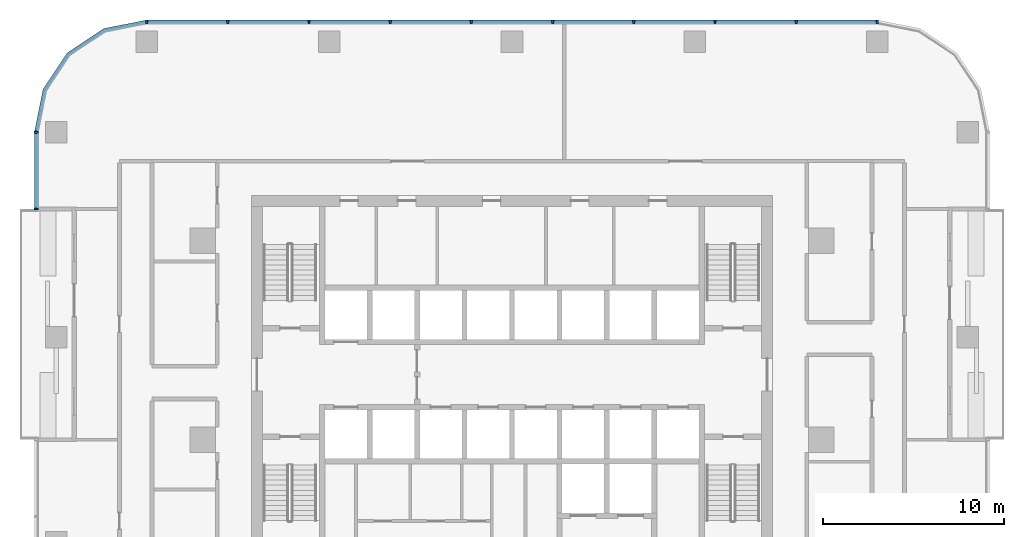
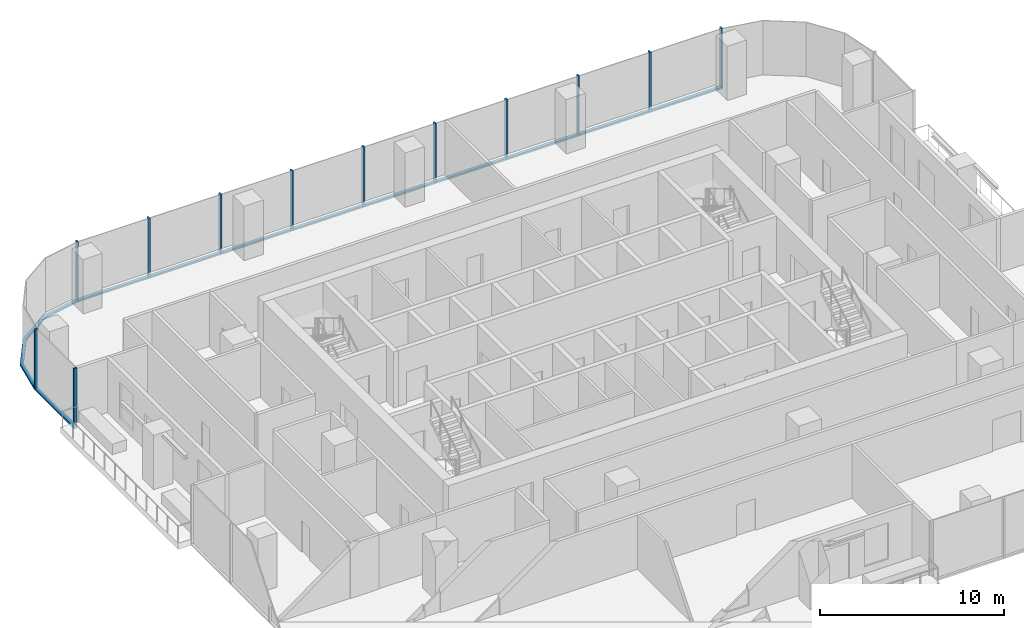
# One storey, part 4 of 14: 23 members, 3 elements without a shape of their own.
"""IFC4 building model written with IfcOpenShell, lengths in metres."""

from ifc_helpers import new_model, si_unit, direction, frame, origin, origin_2d, place, context, subcontext, project, spatial, polyline, rectangle, outline, extrude, material, material_profile, profile_set, type_object, element, aggregate, save


model = new_model("IFC4")

# Units and contexts
model_context = context("Model", 3, precision=1e-05, world=origin(), true_north=direction((0.0, 1.0)))
body_context = subcontext(model_context, "Body", "Model", "MODEL_VIEW")
ifc_project = project(units=[si_unit("LENGTHUNIT", "METRE"), si_unit("AREAUNIT", "SQUARE_METRE"), si_unit("VOLUMEUNIT", "CUBIC_METRE"), si_unit("PLANEANGLEUNIT", "RADIAN"), si_unit("MASSUNIT", "GRAM", prefix="KILO")], contexts=[model_context])

# Site, building, storey
site_placement = place(None, origin())
site = spatial("IfcSite", under=ifc_project, at=site_placement, CompositionType="ELEMENT")
building_placement = place(site_placement, origin())
building = spatial("IfcBuilding", under=site, at=building_placement, Name="Mopane Tessera Tower", CompositionType="ELEMENT")
storey_placement = place(building_placement, frame((0.0, 0.0, 165.0)))
storey = spatial("IfcBuildingStorey", under=building, at=storey_placement, Name="L33", CompositionType="ELEMENT", Elevation=165.0)

# Curtain wall, members
ifc_material_1 = material(Name="Aluminium frame", Category="aluminium")
curtain_wall_type = type_object("IfcCurtainWallType", Name="Unitised curtain wall", PredefinedType="NOTDEFINED", material=ifc_material_1)
curtain_wall_1_placement = place(storey_placement, origin())
curtain_wall_1 = element("IfcCurtainWall", 1, at=curtain_wall_1_placement, inside=storey, type_object=curtain_wall_type, Name="e:cw:L33:N:0", PredefinedType="NOTDEFINED")
ifc_material_2 = material(Name="Aluminium frame", Category="aluminium")
ifc_material_profile_1 = material_profile(ifc_material_2, rectangle(XDim=0.10009765625, YDim=0.199951171875, at=origin_2d()))
ifc_profile_set_1 = profile_set([ifc_material_profile_1], Name="Aluminium frame")
member_type_1 = type_object("IfcMemberType", Name="Aluminium mullion 100 x 200", PredefinedType="MULLION", material=ifc_profile_set_1)
member_1_placement = place(storey_placement, frame((20.199951171875, 23.10009765625, -0.39990234375), z_axis=(0.0, 0.0, 1.0), x_axis=(-1.0, 0.0, 0.0)))
member_1 = element("IfcMember", 2, at=member_1_placement, type_object=member_type_1, Name="e:cw:L33:N:0:mu0", PredefinedType="MULLION", context=body_context, shape_type="SweptSolid", body=[
    extrude(rectangle(XDim=0.10009765625, YDim=0.199951171875, at=origin_2d()), origin(), (0.0, 0.0, 1.0), 4.0),
])
member_2_placement = place(storey_placement, frame((15.711181640625, 23.10009765625, -0.39990234375), z_axis=(0.0, 0.0, 1.0), x_axis=(-1.0, 0.0, 0.0)))
member_2 = element("IfcMember", 3, at=member_2_placement, type_object=member_type_1, Name="e:cw:L33:N:0:mu1", PredefinedType="MULLION", context=body_context, shape_type="SweptSolid", body=[
    extrude(rectangle(XDim=0.10009765625, YDim=0.199951171875, at=origin_2d()), origin(), (0.0, 0.0, 1.0), 4.0),
])
member_3_placement = place(storey_placement, frame((11.22216796875, 23.10009765625, -0.39990234375), z_axis=(0.0, 0.0, 1.0), x_axis=(-1.0, 0.0, 0.0)))
member_3 = element("IfcMember", 4, at=member_3_placement, type_object=member_type_1, Name="e:cw:L33:N:0:mu2", PredefinedType="MULLION", context=body_context, shape_type="SweptSolid", body=[
    extrude(rectangle(XDim=0.10009765625, YDim=0.199951171875, at=origin_2d()), origin(), (0.0, 0.0, 1.0), 4.0),
])
member_4_placement = place(storey_placement, frame((6.7333984375, 23.10009765625, -0.39990234375), z_axis=(0.0, 0.0, 1.0), x_axis=(-1.0, 0.0, 0.0)))
member_4 = element("IfcMember", 5, at=member_4_placement, type_object=member_type_1, Name="e:cw:L33:N:0:mu3", PredefinedType="MULLION", context=body_context, shape_type="SweptSolid", body=[
    extrude(rectangle(XDim=0.10009765625, YDim=0.199951171875, at=origin_2d()), origin(), (0.0, 0.0, 1.0), 4.0),
])
member_5_placement = place(storey_placement, frame((2.244384765625, 23.10009765625, -0.39990234375), z_axis=(0.0, 0.0, 1.0), x_axis=(-1.0, 0.0, 0.0)))
member_5 = element("IfcMember", 6, at=member_5_placement, type_object=member_type_1, Name="e:cw:L33:N:0:mu4", PredefinedType="MULLION", context=body_context, shape_type="SweptSolid", body=[
    extrude(rectangle(XDim=0.10009765625, YDim=0.199951171875, at=origin_2d()), origin(), (0.0, 0.0, 1.0), 4.0),
])
member_6_placement = place(storey_placement, frame((-2.244384765625, 23.10009765625, -0.39990234375), z_axis=(0.0, 0.0, 1.0), x_axis=(-1.0, 0.0, 0.0)))
member_6 = element("IfcMember", 7, at=member_6_placement, type_object=member_type_1, Name="e:cw:L33:N:0:mu5", PredefinedType="MULLION", context=body_context, shape_type="SweptSolid", body=[
    extrude(rectangle(XDim=0.10009765625, YDim=0.199951171875, at=origin_2d()), origin(), (0.0, 0.0, 1.0), 4.0),
])
member_7_placement = place(storey_placement, frame((-6.7333984375, 23.10009765625, -0.39990234375), z_axis=(0.0, 0.0, 1.0), x_axis=(-1.0, 0.0, 0.0)))
member_7 = element("IfcMember", 8, at=member_7_placement, type_object=member_type_1, Name="e:cw:L33:N:0:mu6", PredefinedType="MULLION", context=body_context, shape_type="SweptSolid", body=[
    extrude(rectangle(XDim=0.10009765625, YDim=0.199951171875, at=origin_2d()), origin(), (0.0, 0.0, 1.0), 4.0),
])
member_8_placement = place(storey_placement, frame((-11.22216796875, 23.10009765625, -0.39990234375), z_axis=(0.0, 0.0, 1.0), x_axis=(-1.0, 0.0, 0.0)))
member_8 = element("IfcMember", 9, at=member_8_placement, type_object=member_type_1, Name="e:cw:L33:N:0:mu7", PredefinedType="MULLION", context=body_context, shape_type="SweptSolid", body=[
    extrude(rectangle(XDim=0.10009765625, YDim=0.199951171875, at=origin_2d()), origin(), (0.0, 0.0, 1.0), 4.0),
])
member_9_placement = place(storey_placement, frame((-15.711181640625, 23.10009765625, -0.39990234375), z_axis=(0.0, 0.0, 1.0), x_axis=(-1.0, 0.0, 0.0)))
member_9 = element("IfcMember", 10, at=member_9_placement, type_object=member_type_1, Name="e:cw:L33:N:0:mu8", PredefinedType="MULLION", context=body_context, shape_type="SweptSolid", body=[
    extrude(rectangle(XDim=0.10009765625, YDim=0.199951171875, at=origin_2d()), origin(), (0.0, 0.0, 1.0), 4.0),
])
member_10_placement = place(storey_placement, frame((-20.199951171875, 23.10009765625, -0.39990234375), z_axis=(0.0, 0.0, 1.0), x_axis=(-1.0, 0.0, 0.0)))
member_10 = element("IfcMember", 11, at=member_10_placement, type_object=member_type_1, Name="e:cw:L33:N:0:mu9", PredefinedType="MULLION", context=body_context, shape_type="SweptSolid", body=[
    extrude(rectangle(XDim=0.10009765625, YDim=0.199951171875, at=origin_2d()), origin(), (0.0, 0.0, 1.0), 4.0),
])

curtain_wall_2_placement = place(storey_placement, origin())
curtain_wall_2 = element("IfcCurtainWall", 12, at=curtain_wall_2_placement, inside=storey, type_object=curtain_wall_type, Name="e:cw:L33:W:0", PredefinedType="NOTDEFINED")
member_11_placement = place(storey_placement, frame((-26.300048828125, 17.0, -0.39990234375), z_axis=(0.0, 0.0, 1.0), x_axis=(0.0, -1.0, 0.0)))
member_11 = element("IfcMember", 13, at=member_11_placement, type_object=member_type_1, Name="e:cw:L33:W:0:mu0", PredefinedType="MULLION", context=body_context, shape_type="SweptSolid", body=[
    extrude(rectangle(XDim=0.10009765625, YDim=0.199951171875, at=origin_2d()), origin(), (0.0, 0.0, 1.0), 4.0),
])
member_12_placement = place(storey_placement, frame((-26.300048828125, 12.75, -0.39990234375), z_axis=(0.0, 0.0, 1.0), x_axis=(0.0, -1.0, 0.0)))
member_12 = element("IfcMember", 14, at=member_12_placement, type_object=member_type_1, Name="e:cw:L33:W:0:mu1", PredefinedType="MULLION", context=body_context, shape_type="SweptSolid", body=[
    extrude(rectangle(XDim=0.10009765625, YDim=0.199951171875, at=origin_2d()), origin(), (0.0, 0.0, 1.0), 4.0),
])

# Member
ifc_material_3 = material(Name="Aluminium frame", Category="aluminium")
ifc_material_profile_2 = material_profile(ifc_material_3, rectangle(XDim=0.199951171875, YDim=0.1201171875, at=origin_2d()))
ifc_profile_set_2 = profile_set([ifc_material_profile_2], Name="Aluminium frame")
member_type_2 = type_object("IfcMemberType", Name="Aluminium transom 200 x 120", PredefinedType="USERDEFINED", material=ifc_profile_set_2)
member_13_placement = place(storey_placement, frame((20.14990234375, 23.10009765625, -0.340087890625), z_axis=(-1.0, 0.0, 0.0), x_axis=(0.0, -1.0, 0.0)))
member_13 = element("IfcMember", 15, at=member_13_placement, type_object=member_type_2, Name="e:cw:L33:N:0:tr0", ObjectType="TRANSOM", PredefinedType="USERDEFINED", context=body_context, shape_type="SweptSolid", body=[
    extrude(rectangle(XDim=0.199951171875, YDim=0.1201171875, at=origin_2d()), origin(), (0.0, 0.0, 1.0), 4.388671875),
])

member_14_placement = place(storey_placement, frame((15.6611328125, 23.10009765625, -0.340087890625), z_axis=(-1.0, 0.0, 0.0), x_axis=(0.0, -1.0, 0.0)))
member_14 = element("IfcMember", 16, at=member_14_placement, type_object=member_type_2, Name="e:cw:L33:N:0:tr1", ObjectType="TRANSOM", PredefinedType="USERDEFINED", context=body_context, shape_type="SweptSolid", body=[
    extrude(rectangle(XDim=0.199951171875, YDim=0.1201171875, at=origin_2d()), origin(), (0.0, 0.0, 1.0), 4.388916015625),
])

member_15_placement = place(storey_placement, frame((11.172119140625, 23.10009765625, -0.340087890625), z_axis=(-1.0, 0.0, 0.0), x_axis=(0.0, -1.0, 0.0)))
member_15 = element("IfcMember", 17, at=member_15_placement, type_object=member_type_2, Name="e:cw:L33:N:0:tr2", ObjectType="TRANSOM", PredefinedType="USERDEFINED", context=body_context, shape_type="SweptSolid", body=[
    extrude(rectangle(XDim=0.199951171875, YDim=0.1201171875, at=origin_2d()), origin(), (0.0, 0.0, 1.0), 4.388671875),
])

member_16_placement = place(storey_placement, frame((6.683349609375, 23.10009765625, -0.340087890625), z_axis=(-1.0, 0.0, 0.0), x_axis=(0.0, -1.0, 0.0)))
member_16 = element("IfcMember", 18, at=member_16_placement, type_object=member_type_2, Name="e:cw:L33:N:0:tr3", ObjectType="TRANSOM", PredefinedType="USERDEFINED", context=body_context, shape_type="SweptSolid", body=[
    extrude(rectangle(XDim=0.199951171875, YDim=0.1201171875, at=origin_2d()), origin(), (0.0, 0.0, 1.0), 4.388916015625),
])

member_17_placement = place(storey_placement, frame((2.1943359375, 23.10009765625, -0.340087890625), z_axis=(-1.0, 0.0, 0.0), x_axis=(0.0, -1.0, 0.0)))
member_17 = element("IfcMember", 19, at=member_17_placement, type_object=member_type_2, Name="e:cw:L33:N:0:tr4", ObjectType="TRANSOM", PredefinedType="USERDEFINED", context=body_context, shape_type="SweptSolid", body=[
    extrude(rectangle(XDim=0.199951171875, YDim=0.1201171875, at=origin_2d()), origin(), (0.0, 0.0, 1.0), 4.388671875),
])

member_18_placement = place(storey_placement, frame((-2.29443359375, 23.10009765625, -0.340087890625), z_axis=(-1.0, 0.0, 0.0), x_axis=(0.0, -1.0, 0.0)))
member_18 = element("IfcMember", 20, at=member_18_placement, type_object=member_type_2, Name="e:cw:L33:N:0:tr5", ObjectType="TRANSOM", PredefinedType="USERDEFINED", context=body_context, shape_type="SweptSolid", body=[
    extrude(rectangle(XDim=0.199951171875, YDim=0.1201171875, at=origin_2d()), origin(), (0.0, 0.0, 1.0), 4.388916015625),
])

member_19_placement = place(storey_placement, frame((-6.783447265625, 23.10009765625, -0.340087890625), z_axis=(-1.0, 0.0, 0.0), x_axis=(0.0, -1.0, 0.0)))
member_19 = element("IfcMember", 21, at=member_19_placement, type_object=member_type_2, Name="e:cw:L33:N:0:tr6", ObjectType="TRANSOM", PredefinedType="USERDEFINED", context=body_context, shape_type="SweptSolid", body=[
    extrude(rectangle(XDim=0.199951171875, YDim=0.1201171875, at=origin_2d()), origin(), (0.0, 0.0, 1.0), 4.388671875),
])

member_20_placement = place(storey_placement, frame((-11.272216796875, 23.10009765625, -0.340087890625), z_axis=(-1.0, 0.0, 0.0), x_axis=(0.0, -1.0, 0.0)))
member_20 = element("IfcMember", 22, at=member_20_placement, type_object=member_type_2, Name="e:cw:L33:N:0:tr7", ObjectType="TRANSOM", PredefinedType="USERDEFINED", context=body_context, shape_type="SweptSolid", body=[
    extrude(rectangle(XDim=0.199951171875, YDim=0.1201171875, at=origin_2d()), origin(), (0.0, 0.0, 1.0), 4.388916015625),
])

member_21_placement = place(storey_placement, frame((-15.76123046875, 23.10009765625, -0.340087890625), z_axis=(-1.0, 0.0, 0.0), x_axis=(0.0, -1.0, 0.0)))
member_21 = element("IfcMember", 23, at=member_21_placement, type_object=member_type_2, Name="e:cw:L33:N:0:tr8", ObjectType="TRANSOM", PredefinedType="USERDEFINED", context=body_context, shape_type="SweptSolid", body=[
    extrude(rectangle(XDim=0.199951171875, YDim=0.1201171875, at=origin_2d()), origin(), (0.0, 0.0, 1.0), 4.388671875),
])

aggregate(curtain_wall_1, [member_1, member_2, member_3, member_4, member_5, member_6, member_7, member_8, member_9, member_10, member_13, member_14, member_15, member_16, member_17, member_18, member_19, member_20, member_21])

# Curtain wall, member
curtain_wall_3_placement = place(storey_placement, origin())
curtain_wall_3 = element("IfcCurtainWall", 24, at=curtain_wall_3_placement, inside=storey, type_object=curtain_wall_type, Name="e:cw:L33:CN", PredefinedType="NOTDEFINED")
member_22_placement = place(storey_placement, frame((0.0, 0.0, -0.39990234375)))
member_22 = element("IfcMember", 25, at=member_22_placement, type_object=member_type_2, Name="e:cw:L33:CN:tr", ObjectType="TRANSOM", PredefinedType="USERDEFINED", context=body_context, shape_type="SweptSolid", body=[
    extrude(outline(polyline([(-20.199951171875, 23.0), (-22.49609375, 22.543212890625), (-24.442626953125, 21.24267578125), (-25.7431640625, 19.296142578125), (-26.199951171875, 17.0), (-26.39990234375, 17.0), (-25.927978515625, 19.37255859375), (-24.583984375, 21.384033203125), (-22.57275390625, 22.72802734375), (-20.199951171875, 23.199951171875), (-20.199951171875, 23.0)])), origin(), (0.0, 0.0, 1.0), 0.119873046875),
])
aggregate(curtain_wall_3, [member_22])

# Member
member_23_placement = place(storey_placement, frame((-26.300048828125, 16.949951171875, -0.340087890625), z_axis=(0.0, -1.0, 0.0), x_axis=(1.0, 0.0, 0.0)))
member_23 = element("IfcMember", 26, at=member_23_placement, type_object=member_type_2, Name="e:cw:L33:W:0:tr0", ObjectType="TRANSOM", PredefinedType="USERDEFINED", context=body_context, shape_type="SweptSolid", body=[
    extrude(rectangle(XDim=0.199951171875, YDim=0.1201171875, at=origin_2d()), origin(), (0.0, 0.0, 1.0), 4.14990234375),
])

aggregate(curtain_wall_2, [member_11, member_12, member_23])

save(model, "model.ifc")
